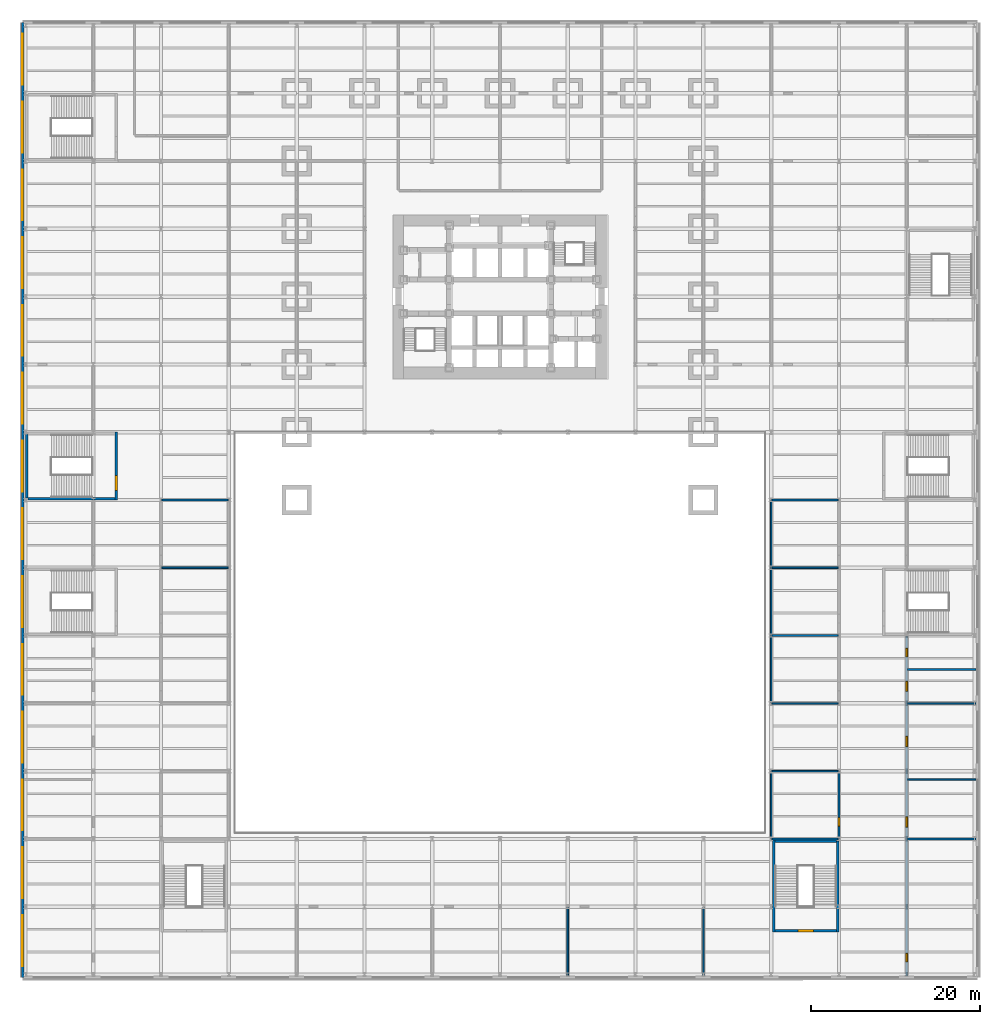
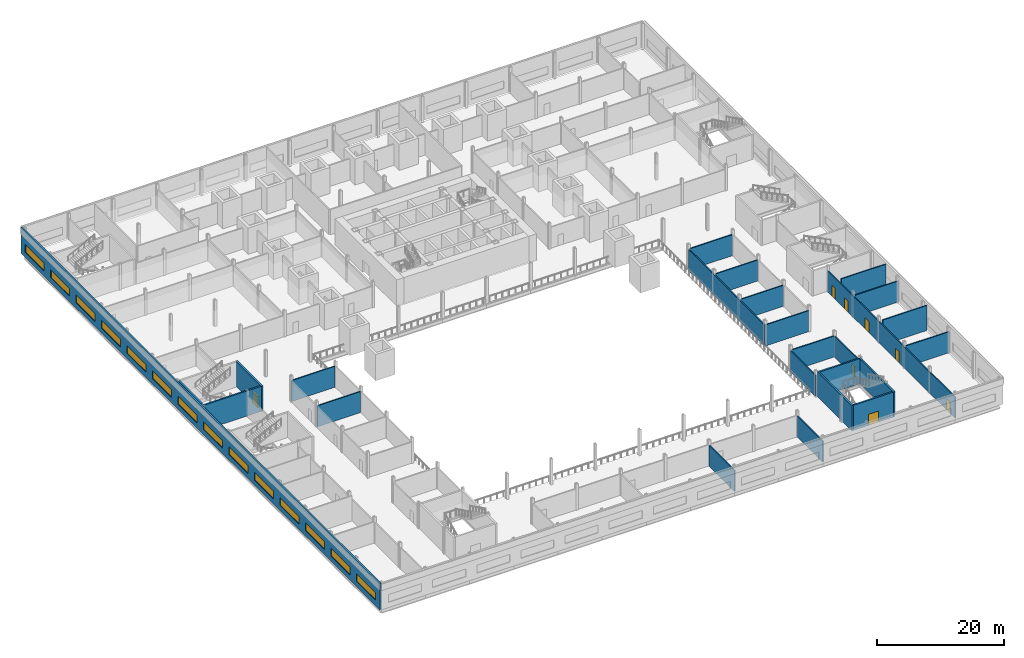
# One storey, part 9 of 18: 26 walls, 14 windows, 8 doors, 22 openings.
"""IFC4 building model written with IfcOpenShell, lengths in metres."""

from ifc_helpers import new_model, si_unit, direction, frame, frame_2d, origin, place, context, subcontext, project, spatial, rectangle, extrude, material, layer, layer_set, type_object, element, fill, save


model = new_model("IFC4")

# Units and contexts
model_context = context("Model", 3, precision=1e-05, world=origin(), true_north=direction((0.0, 1.0)))
body_context = subcontext(model_context, "Body", "Model", "MODEL_VIEW")
ifc_project = project(units=[si_unit("LENGTHUNIT", "METRE"), si_unit("AREAUNIT", "SQUARE_METRE"), si_unit("VOLUMEUNIT", "CUBIC_METRE"), si_unit("PLANEANGLEUNIT", "RADIAN"), si_unit("MASSUNIT", "GRAM", prefix="KILO")], contexts=[model_context])

# Site, building, storey
site_placement = place(None, origin())
site = spatial("IfcSite", under=ifc_project, at=site_placement, CompositionType="ELEMENT")
building_placement = place(site_placement, origin())
building = spatial("IfcBuilding", under=site, at=building_placement, Name="Daluyong Arena Tower", CompositionType="ELEMENT")
storey_placement = place(building_placement, frame((0.0, 0.0, 4.89990234375)))
storey = spatial("IfcBuildingStorey", under=building, at=storey_placement, Name="L01", CompositionType="ELEMENT", Elevation=4.89990234375)

# Walls
ifc_material_1 = material(Name="Concrete block partition", Category="concrete")
ifc_layer_1 = layer(ifc_material_1, 0.199951171875)
ifc_layer_set_1 = layer_set([ifc_layer_1], Name="Concrete block partition")
wall_type_1 = type_object("IfcWallType", Name="Partition 200", PredefinedType="PARTITIONING", material=ifc_layer_set_1)
wall_1_placement = place(storey_placement, frame((88.10009765625, 16.0, 0.0), z_axis=(0.0, 0.0, 1.0), x_axis=(1.0, 0.0, 0.0)))
element("IfcWall", 1, at=wall_1_placement, inside=storey, type_object=wall_type_1, Name="partition at L01", PredefinedType="PARTITIONING", context=body_context, shape_type="SweptSolid", body=[
    extrude(rectangle(XDim=7.7998046875, YDim=0.199951171875, at=frame_2d((3.89990234375, 0.0))), origin(), (0.0, 0.0, 1.0), 4.02783203125),
])
wall_2_placement = place(storey_placement, frame((104.10009765625, 16.0, 0.0), z_axis=(0.0, 0.0, 1.0), x_axis=(1.0, 0.0, 0.0)))
element("IfcWall", 2, at=wall_2_placement, inside=storey, type_object=wall_type_1, Name="partition at L01", PredefinedType="PARTITIONING", context=body_context, shape_type="SweptSolid", body=[
    extrude(rectangle(XDim=8.0498046875, YDim=0.199951171875, at=frame_2d((4.02490234375, 0.0))), origin(), (0.0, 0.0, 1.0), 4.02783203125),
])
wall_3_placement = place(storey_placement, frame((104.10009765625, 23.0, 0.0), z_axis=(0.0, 0.0, 1.0), x_axis=(1.0, 0.0, 0.0)))
element("IfcWall", 3, at=wall_3_placement, inside=storey, type_object=wall_type_1, Name="partition at L01", PredefinedType="PARTITIONING", context=body_context, shape_type="SweptSolid", body=[
    extrude(rectangle(XDim=8.0498046875, YDim=0.199951171875, at=frame_2d((4.02490234375, 0.0))), origin(), (0.0, 0.0, 1.0), 4.800048828125),
])
for number, where, z_axis, x_axis, name in (
    (4, (88.10009765625, 24.0, 0.0), (0.0, 0.0, 1.0), (1.0, 0.0, 0.0), "partition at L01"),
    (5, (88.10009765625, 32.0, 0.0), (0.0, 0.0, 1.0), (1.0, 0.0, 0.0), "partition at L01"),
):
    element("IfcWall", number, at=place(storey_placement, frame(where, z_axis=z_axis, x_axis=x_axis)), inside=storey, type_object=wall_type_1, Name=name, PredefinedType="PARTITIONING", context=body_context, shape_type="SweptSolid", body=[
        extrude(rectangle(XDim=7.7998046875, YDim=0.199951171875, at=frame_2d((3.89990234375, 0.0))), origin(), (0.0, 0.0, 1.0), 4.02783203125),
    ])
wall_4_placement = place(storey_placement, frame((104.10009765625, 32.0, 0.0), z_axis=(0.0, 0.0, 1.0), x_axis=(1.0, 0.0, 0.0)))
element("IfcWall", 6, at=wall_4_placement, inside=storey, type_object=wall_type_1, Name="partition at L01", PredefinedType="PARTITIONING", context=body_context, shape_type="SweptSolid", body=[
    extrude(rectangle(XDim=8.0498046875, YDim=0.199951171875, at=frame_2d((4.02490234375, 0.0))), origin(), (0.0, 0.0, 1.0), 4.02783203125),
])
wall_5_placement = place(storey_placement, frame((104.10009765625, 36.0, 0.0), z_axis=(0.0, 0.0, 1.0), x_axis=(1.0, 0.0, 0.0)))
element("IfcWall", 7, at=wall_5_placement, inside=storey, type_object=wall_type_1, Name="partition at L01", PredefinedType="PARTITIONING", context=body_context, shape_type="SweptSolid", body=[
    extrude(rectangle(XDim=8.0498046875, YDim=0.199951171875, at=frame_2d((4.02490234375, 0.0))), origin(), (0.0, 0.0, 1.0), 4.800048828125),
])
for number, where, z_axis, x_axis, name in (
    (8, (88.10009765625, 40.0, 0.0), (0.0, 0.0, 1.0), (1.0, 0.0, 0.0), "partition at L01"),
    (9, (16.10009765625, 48.0, 0.0), (0.0, 0.0, 1.0), (1.0, 0.0, 0.0), "partition at L01"),
    (10, (88.10009765625, 48.0, 0.0), (0.0, 0.0, 1.0), (1.0, 0.0, 0.0), "partition at L01"),
    (11, (16.10009765625, 56.0, 0.0), (0.0, 0.0, 1.0), (1.0, 0.0, 0.0), "partition at L01"),
    (12, (88.10009765625, 56.0, 0.0), (0.0, 0.0, 1.0), (1.0, 0.0, 0.0), "partition at L01"),
):
    element("IfcWall", number, at=place(storey_placement, frame(where, z_axis=z_axis, x_axis=x_axis)), inside=storey, type_object=wall_type_1, Name=name, PredefinedType="PARTITIONING", context=body_context, shape_type="SweptSolid", body=[
        extrude(rectangle(XDim=7.7998046875, YDim=0.199951171875, at=frame_2d((3.89990234375, 0.0))), origin(), (0.0, 0.0, 1.0), 4.02783203125),
    ])
for number, where, z_axis, x_axis, name in (
    (13, (64.0, -0.14990234375, 0.0), (0.0, 0.0, 1.0), (0.0, 1.0, 0.0), "partition at L01"),
    (14, (80.0, -0.14990234375, 0.0), (0.0, 0.0, 1.0), (0.0, 1.0, 0.0), "partition at L01"),
):
    element("IfcWall", number, at=place(storey_placement, frame(where, z_axis=z_axis, x_axis=x_axis)), inside=storey, type_object=wall_type_1, Name=name, PredefinedType="PARTITIONING", context=body_context, shape_type="SweptSolid", body=[
        extrude(rectangle(XDim=8.0498046875, YDim=0.199951171875, at=frame_2d((4.02490234375, 0.0))), origin(), (0.0, 0.0, 1.0), 4.02783203125),
    ])
wall_6_placement = place(storey_placement, frame((88.0, 16.10009765625, 0.0), z_axis=(0.0, 0.0, 1.0), x_axis=(0.0, 1.0, 0.0)))
element("IfcWall", 15, at=wall_6_placement, inside=storey, type_object=wall_type_1, Name="partition at L01", PredefinedType="PARTITIONING", context=body_context, shape_type="SweptSolid", body=[
    extrude(rectangle(XDim=7.7998046875, YDim=0.199951171875, at=frame_2d((3.89990234375, 0.0))), origin(), (0.0, 0.0, 1.0), 4.02783203125),
])
wall_7_placement = place(storey_placement, frame((88.0, 32.10009765625, 0.0), z_axis=(0.0, 0.0, 1.0), x_axis=(0.0, 1.0, 0.0)))
element("IfcWall", 16, at=wall_7_placement, inside=storey, type_object=wall_type_1, Name="partition at L01", PredefinedType="PARTITIONING", context=body_context, shape_type="SweptSolid", body=[
    extrude(rectangle(XDim=23.7998046875, YDim=0.199951171875, at=frame_2d((11.89990234375, 0.0))), origin(), (0.0, 0.0, 1.0), 4.02783203125),
])

# Wall, opening, door
wall_8_placement = place(storey_placement, frame((96.0, 16.10009765625, 0.0), z_axis=(0.0, 0.0, 1.0), x_axis=(0.0, 1.0, 0.0)))
wall_8 = element("IfcWall", 17, at=wall_8_placement, inside=storey, type_object=wall_type_1, Name="partition at L01", PredefinedType="PARTITIONING", context=body_context, shape_type="SweptSolid", body=[
    extrude(rectangle(XDim=7.7998046875, YDim=0.199951171875, at=frame_2d((3.89990234375, 0.0))), origin(), (0.0, 0.0, 1.0), 4.02783203125),
])
opening_1_placement = place(wall_8_placement, frame((1.39990234375, 0.0, 0.0)))
opening_1 = element("IfcOpeningElement", 18, at=opening_1_placement, cuts=wall_8, Name="Opening 01035", PredefinedType="OPENING", context=body_context, shape_type="SweptSolid", body=[
    extrude(rectangle(XDim=1.0, YDim=2.10009765625, at=frame_2d((0.5, 1.050048828125))), frame((0.0, 0.10986328125, 0.0), z_axis=(0.0, -1.0, 0.0), x_axis=(1.0, 0.0, 0.0)), (0.0, 0.0, 1.0), 0.219970703125),
])
ifc_material_2 = material(Name="Timber door", Category="wood")
door_type_1 = type_object("IfcDoorType", Name="Room door 1000", OperationType="SINGLE_SWING_LEFT", PredefinedType="DOOR", material=ifc_material_2)
door_1_placement = place(opening_1_placement, origin())
door_1 = element("IfcDoor", 19, at=door_1_placement, inside=storey, type_object=door_type_1, Name="food and beverage kiosk door 01035", OperationType="SINGLE_SWING_LEFT", OverallHeight=2.10009765625, OverallWidth=1.0, PredefinedType="DOOR", context=body_context, shape_type="SweptSolid", body=[
    extrude(rectangle(XDim=1.0, YDim=2.10009765625, at=frame_2d((0.5, 1.050048828125))), frame((0.0, 0.099609375, 0.0), z_axis=(0.0, -1.0, 0.0), x_axis=(1.0, 0.0, 0.0)), (0.0, 0.0, 1.0), 0.199462890625),
])
fill(opening_1, door_1)

# Wall, openings, doors
wall_9_placement = place(storey_placement, frame((104.0, -0.14990234375, 0.0), z_axis=(0.0, 0.0, 1.0), x_axis=(0.0, 1.0, 0.0)))
wall_9 = element("IfcWall", 20, at=wall_9_placement, inside=storey, type_object=wall_type_1, Name="partition at L01", PredefinedType="PARTITIONING", context=body_context, shape_type="SweptSolid", body=[
    extrude(rectangle(XDim=40.0498046875, YDim=0.199951171875, at=frame_2d((20.02490234375, 0.0))), origin(), (0.0, 0.0, 1.0), 4.02783203125),
])
opening_2_placement = place(wall_9_placement, frame((17.550048828125, 0.0, 0.0)))
opening_2 = element("IfcOpeningElement", 21, at=opening_2_placement, cuts=wall_9, Name="Opening 01026", PredefinedType="OPENING", context=body_context, shape_type="SweptSolid", body=[
    extrude(rectangle(XDim=1.199951171875, YDim=2.10009765625, at=frame_2d((0.60009765625, 1.050048828125))), frame((0.0, 0.10986328125, 0.0), z_axis=(0.0, -1.0, 0.0), x_axis=(1.0, 0.0, 0.0)), (0.0, 0.0, 1.0), 0.219970703125),
])
opening_3_placement = place(wall_9_placement, frame((27.050048828125, 0.0, 0.0)))
opening_3 = element("IfcOpeningElement", 22, at=opening_3_placement, cuts=wall_9, Name="Opening 01027", PredefinedType="OPENING", context=body_context, shape_type="SweptSolid", body=[
    extrude(rectangle(XDim=1.199951171875, YDim=2.10009765625, at=frame_2d((0.60009765625, 1.050048828125))), frame((0.0, 0.10986328125, 0.0), z_axis=(0.0, -1.0, 0.0), x_axis=(1.0, 0.0, 0.0)), (0.0, 0.0, 1.0), 0.219970703125),
])
opening_4_placement = place(wall_9_placement, frame((33.550048828125, 0.0, 0.0)))
opening_4 = element("IfcOpeningElement", 23, at=opening_4_placement, cuts=wall_9, Name="Opening 01028", PredefinedType="OPENING", context=body_context, shape_type="SweptSolid", body=[
    extrude(rectangle(XDim=1.199951171875, YDim=2.10009765625, at=frame_2d((0.60009765625, 1.050048828125))), frame((0.0, 0.10986328125, 0.0), z_axis=(0.0, -1.0, 0.0), x_axis=(1.0, 0.0, 0.0)), (0.0, 0.0, 1.0), 0.219970703125),
])
opening_5_placement = place(wall_9_placement, frame((1.64990234375, 0.0, 0.0)))
opening_5 = element("IfcOpeningElement", 24, at=opening_5_placement, cuts=wall_9, Name="Opening 01030", PredefinedType="OPENING", context=body_context, shape_type="SweptSolid", body=[
    extrude(rectangle(XDim=1.0, YDim=2.10009765625, at=frame_2d((0.5, 1.050048828125))), frame((0.0, 0.10986328125, 0.0), z_axis=(0.0, -1.0, 0.0), x_axis=(1.0, 0.0, 0.0)), (0.0, 0.0, 1.0), 0.219970703125),
])
opening_6_placement = place(wall_9_placement, frame((37.64990234375, 0.0, 0.0)))
opening_6 = element("IfcOpeningElement", 25, at=opening_6_placement, cuts=wall_9, Name="Opening 01041", PredefinedType="OPENING", context=body_context, shape_type="SweptSolid", body=[
    extrude(rectangle(XDim=1.0, YDim=2.10009765625, at=frame_2d((0.5, 1.050048828125))), frame((0.0, 0.10986328125, 0.0), z_axis=(0.0, -1.0, 0.0), x_axis=(1.0, 0.0, 0.0)), (0.0, 0.0, 1.0), 0.219970703125),
])
door_2_placement = place(opening_5_placement, origin())
door_2 = element("IfcDoor", 26, at=door_2_placement, inside=storey, type_object=door_type_1, Name="food and beverage kiosk door 01030", OperationType="SINGLE_SWING_LEFT", OverallHeight=2.10009765625, OverallWidth=1.0, PredefinedType="DOOR", context=body_context, shape_type="SweptSolid", body=[
    extrude(rectangle(XDim=1.0, YDim=2.10009765625, at=frame_2d((0.5, 1.050048828125))), frame((0.0, 0.099609375, 0.0), z_axis=(0.0, -1.0, 0.0), x_axis=(1.0, 0.0, 0.0)), (0.0, 0.0, 1.0), 0.199462890625),
])
fill(opening_5, door_2)
door_3_placement = place(opening_6_placement, origin())
door_3 = element("IfcDoor", 27, at=door_3_placement, inside=storey, type_object=door_type_1, Name="food and beverage kiosk door 01041", OperationType="SINGLE_SWING_LEFT", OverallHeight=2.10009765625, OverallWidth=1.0, PredefinedType="DOOR", context=body_context, shape_type="SweptSolid", body=[
    extrude(rectangle(XDim=1.0, YDim=2.10009765625, at=frame_2d((0.5, 1.050048828125))), frame((0.0, 0.099609375, 0.0), z_axis=(0.0, -1.0, 0.0), x_axis=(1.0, 0.0, 0.0)), (0.0, 0.0, 1.0), 0.199462890625),
])
fill(opening_6, door_3)
ifc_material_3 = material(Name="Timber door", Category="wood")
door_type_2 = type_object("IfcDoorType", Name="Toilet entry door 1200", OperationType="SINGLE_SWING_RIGHT", PredefinedType="DOOR", material=ifc_material_3)
door_4_placement = place(opening_2_placement, origin())
door_4 = element("IfcDoor", 28, at=door_4_placement, inside=storey, type_object=door_type_2, Name="male toilet door 01026", OperationType="SINGLE_SWING_RIGHT", OverallHeight=2.10009765625, OverallWidth=1.199951171875, PredefinedType="DOOR", context=body_context, shape_type="SweptSolid", body=[
    extrude(rectangle(XDim=1.199951171875, YDim=2.10009765625, at=frame_2d((0.60009765625, 1.050048828125))), frame((0.0, 0.099609375, 0.0), z_axis=(0.0, -1.0, 0.0), x_axis=(1.0, 0.0, 0.0)), (0.0, 0.0, 1.0), 0.199462890625),
])
fill(opening_2, door_4)
door_5_placement = place(opening_3_placement, origin())
door_5 = element("IfcDoor", 29, at=door_5_placement, inside=storey, type_object=door_type_2, Name="female toilet door 01027", OperationType="SINGLE_SWING_RIGHT", OverallHeight=2.10009765625, OverallWidth=1.199951171875, PredefinedType="DOOR", context=body_context, shape_type="SweptSolid", body=[
    extrude(rectangle(XDim=1.199951171875, YDim=2.10009765625, at=frame_2d((0.60009765625, 1.050048828125))), frame((0.0, 0.099609375, 0.0), z_axis=(0.0, -1.0, 0.0), x_axis=(1.0, 0.0, 0.0)), (0.0, 0.0, 1.0), 0.199462890625),
])
fill(opening_3, door_5)
door_6_placement = place(opening_4_placement, origin())
door_6 = element("IfcDoor", 30, at=door_6_placement, inside=storey, type_object=door_type_2, Name="accessible toilet door 01028", OperationType="SINGLE_SWING_RIGHT", OverallHeight=2.10009765625, OverallWidth=1.199951171875, PredefinedType="DOOR", context=body_context, shape_type="SweptSolid", body=[
    extrude(rectangle(XDim=1.199951171875, YDim=2.10009765625, at=frame_2d((0.60009765625, 1.050048828125))), frame((0.0, 0.099609375, 0.0), z_axis=(0.0, -1.0, 0.0), x_axis=(1.0, 0.0, 0.0)), (0.0, 0.0, 1.0), 0.199462890625),
])
fill(opening_4, door_6)

# Wall, openings, windows
ifc_material_4 = material(Name="Precast concrete fc' 45 MPa", Category="concrete")
ifc_layer_2 = layer(ifc_material_4, 0.300048828125)
ifc_layer_set_2 = layer_set([ifc_layer_2], Name="Precast concrete fc' 45 MPa")
wall_type_2 = type_object("IfcWallType", Name="Podium precast band wall 300", PredefinedType="SOLIDWALL", material=ifc_layer_set_2)
wall_10_placement = place(storey_placement, frame((-0.35009765625, 112.35009765625, 0.0), z_axis=(0.0, 0.0, 1.0), x_axis=(0.0, -1.0, 0.0)))
wall_10 = element("IfcWall", 31, at=wall_10_placement, inside=storey, type_object=wall_type_2, Name="podium wall W L01", PredefinedType="SOLIDWALL", context=body_context, shape_type="SweptSolid", body=[
    extrude(rectangle(XDim=112.7001953125, YDim=0.300048828125, at=frame_2d((56.35009765625, 0.0))), origin(), (0.0, 0.0, 1.0), 5.0),
])
opening_7_placement = place(wall_10_placement, frame((1.35009765625, 0.0, 1.0)))
opening_7 = element("IfcOpeningElement", 32, at=opening_7_placement, cuts=wall_10, Name="Opening W1", PredefinedType="OPENING", context=body_context, shape_type="SweptSolid", body=[
    extrude(rectangle(XDim=6.0, YDim=1.5, at=frame_2d((3.0, 0.75))), frame((0.0, 0.159912109375, 0.0), z_axis=(0.0, -1.0, 0.0), x_axis=(1.0, 0.0, 0.0)), (0.0, 0.0, 1.0), 0.320068359375),
])
opening_8_placement = place(wall_10_placement, frame((9.35009765625, 0.0, 1.0)))
opening_8 = element("IfcOpeningElement", 33, at=opening_8_placement, cuts=wall_10, Name="Opening W1", PredefinedType="OPENING", context=body_context, shape_type="SweptSolid", body=[
    extrude(rectangle(XDim=6.0, YDim=1.5, at=frame_2d((3.0, 0.75))), frame((0.0, 0.159912109375, 0.0), z_axis=(0.0, -1.0, 0.0), x_axis=(1.0, 0.0, 0.0)), (0.0, 0.0, 1.0), 0.320068359375),
])
opening_9_placement = place(wall_10_placement, frame((17.35009765625, 0.0, 1.0)))
opening_9 = element("IfcOpeningElement", 34, at=opening_9_placement, cuts=wall_10, Name="Opening W1", PredefinedType="OPENING", context=body_context, shape_type="SweptSolid", body=[
    extrude(rectangle(XDim=6.0, YDim=1.5, at=frame_2d((3.0, 0.75))), frame((0.0, 0.159912109375, 0.0), z_axis=(0.0, -1.0, 0.0), x_axis=(1.0, 0.0, 0.0)), (0.0, 0.0, 1.0), 0.320068359375),
])
opening_10_placement = place(wall_10_placement, frame((25.35009765625, 0.0, 1.0)))
opening_10 = element("IfcOpeningElement", 35, at=opening_10_placement, cuts=wall_10, Name="Opening W1", PredefinedType="OPENING", context=body_context, shape_type="SweptSolid", body=[
    extrude(rectangle(XDim=6.0, YDim=1.5, at=frame_2d((3.0, 0.75))), frame((0.0, 0.159912109375, 0.0), z_axis=(0.0, -1.0, 0.0), x_axis=(1.0, 0.0, 0.0)), (0.0, 0.0, 1.0), 0.320068359375),
])
opening_11_placement = place(wall_10_placement, frame((33.35009765625, 0.0, 1.0)))
opening_11 = element("IfcOpeningElement", 36, at=opening_11_placement, cuts=wall_10, Name="Opening W1", PredefinedType="OPENING", context=body_context, shape_type="SweptSolid", body=[
    extrude(rectangle(XDim=6.0, YDim=1.5, at=frame_2d((3.0, 0.75))), frame((0.0, 0.159912109375, 0.0), z_axis=(0.0, -1.0, 0.0), x_axis=(1.0, 0.0, 0.0)), (0.0, 0.0, 1.0), 0.320068359375),
])
opening_12_placement = place(wall_10_placement, frame((41.35009765625, 0.0, 1.0)))
opening_12 = element("IfcOpeningElement", 37, at=opening_12_placement, cuts=wall_10, Name="Opening W1", PredefinedType="OPENING", context=body_context, shape_type="SweptSolid", body=[
    extrude(rectangle(XDim=6.0, YDim=1.5, at=frame_2d((3.0, 0.75))), frame((0.0, 0.159912109375, 0.0), z_axis=(0.0, -1.0, 0.0), x_axis=(1.0, 0.0, 0.0)), (0.0, 0.0, 1.0), 0.320068359375),
])
opening_13_placement = place(wall_10_placement, frame((49.35009765625, 0.0, 1.0)))
opening_13 = element("IfcOpeningElement", 38, at=opening_13_placement, cuts=wall_10, Name="Opening W1", PredefinedType="OPENING", context=body_context, shape_type="SweptSolid", body=[
    extrude(rectangle(XDim=6.0, YDim=1.5, at=frame_2d((3.0, 0.75))), frame((0.0, 0.159912109375, 0.0), z_axis=(0.0, -1.0, 0.0), x_axis=(1.0, 0.0, 0.0)), (0.0, 0.0, 1.0), 0.320068359375),
])
opening_14_placement = place(wall_10_placement, frame((57.35009765625, 0.0, 1.0)))
opening_14 = element("IfcOpeningElement", 39, at=opening_14_placement, cuts=wall_10, Name="Opening W1", PredefinedType="OPENING", context=body_context, shape_type="SweptSolid", body=[
    extrude(rectangle(XDim=6.0, YDim=1.5, at=frame_2d((3.0, 0.75))), frame((0.0, 0.159912109375, 0.0), z_axis=(0.0, -1.0, 0.0), x_axis=(1.0, 0.0, 0.0)), (0.0, 0.0, 1.0), 0.320068359375),
])
opening_15_placement = place(wall_10_placement, frame((65.35009765625, 0.0, 1.0)))
opening_15 = element("IfcOpeningElement", 40, at=opening_15_placement, cuts=wall_10, Name="Opening W1", PredefinedType="OPENING", context=body_context, shape_type="SweptSolid", body=[
    extrude(rectangle(XDim=6.0, YDim=1.5, at=frame_2d((3.0, 0.75))), frame((0.0, 0.159912109375, 0.0), z_axis=(0.0, -1.0, 0.0), x_axis=(1.0, 0.0, 0.0)), (0.0, 0.0, 1.0), 0.320068359375),
])
opening_16_placement = place(wall_10_placement, frame((73.35009765625, 0.0, 1.0)))
opening_16 = element("IfcOpeningElement", 41, at=opening_16_placement, cuts=wall_10, Name="Opening W1", PredefinedType="OPENING", context=body_context, shape_type="SweptSolid", body=[
    extrude(rectangle(XDim=6.0, YDim=1.5, at=frame_2d((3.0, 0.75))), frame((0.0, 0.159912109375, 0.0), z_axis=(0.0, -1.0, 0.0), x_axis=(1.0, 0.0, 0.0)), (0.0, 0.0, 1.0), 0.320068359375),
])
opening_17_placement = place(wall_10_placement, frame((81.35009765625, 0.0, 1.0)))
opening_17 = element("IfcOpeningElement", 42, at=opening_17_placement, cuts=wall_10, Name="Opening W1", PredefinedType="OPENING", context=body_context, shape_type="SweptSolid", body=[
    extrude(rectangle(XDim=6.0, YDim=1.5, at=frame_2d((3.0, 0.75))), frame((0.0, 0.159912109375, 0.0), z_axis=(0.0, -1.0, 0.0), x_axis=(1.0, 0.0, 0.0)), (0.0, 0.0, 1.0), 0.320068359375),
])
opening_18_placement = place(wall_10_placement, frame((89.35009765625, 0.0, 1.0)))
opening_18 = element("IfcOpeningElement", 43, at=opening_18_placement, cuts=wall_10, Name="Opening W1", PredefinedType="OPENING", context=body_context, shape_type="SweptSolid", body=[
    extrude(rectangle(XDim=6.0, YDim=1.5, at=frame_2d((3.0, 0.75))), frame((0.0, 0.159912109375, 0.0), z_axis=(0.0, -1.0, 0.0), x_axis=(1.0, 0.0, 0.0)), (0.0, 0.0, 1.0), 0.320068359375),
])
opening_19_placement = place(wall_10_placement, frame((97.35009765625, 0.0, 1.0)))
opening_19 = element("IfcOpeningElement", 44, at=opening_19_placement, cuts=wall_10, Name="Opening W1", PredefinedType="OPENING", context=body_context, shape_type="SweptSolid", body=[
    extrude(rectangle(XDim=6.0, YDim=1.5, at=frame_2d((3.0, 0.75))), frame((0.0, 0.159912109375, 0.0), z_axis=(0.0, -1.0, 0.0), x_axis=(1.0, 0.0, 0.0)), (0.0, 0.0, 1.0), 0.320068359375),
])
opening_20_placement = place(wall_10_placement, frame((105.35009765625, 0.0, 1.0)))
opening_20 = element("IfcOpeningElement", 45, at=opening_20_placement, cuts=wall_10, Name="Opening W1", PredefinedType="OPENING", context=body_context, shape_type="SweptSolid", body=[
    extrude(rectangle(XDim=6.0, YDim=1.5, at=frame_2d((3.0, 0.75))), frame((0.0, 0.159912109375, 0.0), z_axis=(0.0, -1.0, 0.0), x_axis=(1.0, 0.0, 0.0)), (0.0, 0.0, 1.0), 0.320068359375),
])
ifc_material_5 = material(Name="Bronze aluminium window, tinted glass", Category="aluminium")
window_type = type_object("IfcWindowType", Name="Ribbon window 6000x1500", PartitioningType="TRIPLE_PANEL_HORIZONTAL", PredefinedType="WINDOW", material=ifc_material_5)
window_1_placement = place(opening_7_placement, origin())
window_1 = element("IfcWindow", 46, at=window_1_placement, inside=storey, type_object=window_type, Name="ribbon window W", OverallHeight=1.5, OverallWidth=6.0, PartitioningType="SINGLE_PANEL", PredefinedType="WINDOW", context=body_context, shape_type="SweptSolid", body=[
    extrude(rectangle(XDim=6.0, YDim=1.5, at=frame_2d((3.0, 0.75))), frame((0.0, 0.030029296875, 0.0), z_axis=(0.0, -1.0, 0.0), x_axis=(1.0, 0.0, 0.0)), (0.0, 0.0, 1.0), 0.06005859375),
])
fill(opening_7, window_1)
window_2_placement = place(opening_8_placement, origin())
window_2 = element("IfcWindow", 47, at=window_2_placement, inside=storey, type_object=window_type, Name="ribbon window W", OverallHeight=1.5, OverallWidth=6.0, PartitioningType="SINGLE_PANEL", PredefinedType="WINDOW", context=body_context, shape_type="SweptSolid", body=[
    extrude(rectangle(XDim=6.0, YDim=1.5, at=frame_2d((3.0, 0.75))), frame((0.0, 0.030029296875, 0.0), z_axis=(0.0, -1.0, 0.0), x_axis=(1.0, 0.0, 0.0)), (0.0, 0.0, 1.0), 0.06005859375),
])
fill(opening_8, window_2)
window_3_placement = place(opening_9_placement, origin())
window_3 = element("IfcWindow", 48, at=window_3_placement, inside=storey, type_object=window_type, Name="ribbon window W", OverallHeight=1.5, OverallWidth=6.0, PartitioningType="SINGLE_PANEL", PredefinedType="WINDOW", context=body_context, shape_type="SweptSolid", body=[
    extrude(rectangle(XDim=6.0, YDim=1.5, at=frame_2d((3.0, 0.75))), frame((0.0, 0.030029296875, 0.0), z_axis=(0.0, -1.0, 0.0), x_axis=(1.0, 0.0, 0.0)), (0.0, 0.0, 1.0), 0.06005859375),
])
fill(opening_9, window_3)
window_4_placement = place(opening_10_placement, origin())
window_4 = element("IfcWindow", 49, at=window_4_placement, inside=storey, type_object=window_type, Name="ribbon window W", OverallHeight=1.5, OverallWidth=6.0, PartitioningType="SINGLE_PANEL", PredefinedType="WINDOW", context=body_context, shape_type="SweptSolid", body=[
    extrude(rectangle(XDim=6.0, YDim=1.5, at=frame_2d((3.0, 0.75))), frame((0.0, 0.030029296875, 0.0), z_axis=(0.0, -1.0, 0.0), x_axis=(1.0, 0.0, 0.0)), (0.0, 0.0, 1.0), 0.06005859375),
])
fill(opening_10, window_4)
window_5_placement = place(opening_11_placement, origin())
window_5 = element("IfcWindow", 50, at=window_5_placement, inside=storey, type_object=window_type, Name="ribbon window W", OverallHeight=1.5, OverallWidth=6.0, PartitioningType="SINGLE_PANEL", PredefinedType="WINDOW", context=body_context, shape_type="SweptSolid", body=[
    extrude(rectangle(XDim=6.0, YDim=1.5, at=frame_2d((3.0, 0.75))), frame((0.0, 0.030029296875, 0.0), z_axis=(0.0, -1.0, 0.0), x_axis=(1.0, 0.0, 0.0)), (0.0, 0.0, 1.0), 0.06005859375),
])
fill(opening_11, window_5)
window_6_placement = place(opening_12_placement, origin())
window_6 = element("IfcWindow", 51, at=window_6_placement, inside=storey, type_object=window_type, Name="ribbon window W", OverallHeight=1.5, OverallWidth=6.0, PartitioningType="SINGLE_PANEL", PredefinedType="WINDOW", context=body_context, shape_type="SweptSolid", body=[
    extrude(rectangle(XDim=6.0, YDim=1.5, at=frame_2d((3.0, 0.75))), frame((0.0, 0.030029296875, 0.0), z_axis=(0.0, -1.0, 0.0), x_axis=(1.0, 0.0, 0.0)), (0.0, 0.0, 1.0), 0.06005859375),
])
fill(opening_12, window_6)
window_7_placement = place(opening_13_placement, origin())
window_7 = element("IfcWindow", 52, at=window_7_placement, inside=storey, type_object=window_type, Name="ribbon window W", OverallHeight=1.5, OverallWidth=6.0, PartitioningType="SINGLE_PANEL", PredefinedType="WINDOW", context=body_context, shape_type="SweptSolid", body=[
    extrude(rectangle(XDim=6.0, YDim=1.5, at=frame_2d((3.0, 0.75))), frame((0.0, 0.030029296875, 0.0), z_axis=(0.0, -1.0, 0.0), x_axis=(1.0, 0.0, 0.0)), (0.0, 0.0, 1.0), 0.06005859375),
])
fill(opening_13, window_7)
window_8_placement = place(opening_14_placement, origin())
window_8 = element("IfcWindow", 53, at=window_8_placement, inside=storey, type_object=window_type, Name="ribbon window W", OverallHeight=1.5, OverallWidth=6.0, PartitioningType="SINGLE_PANEL", PredefinedType="WINDOW", context=body_context, shape_type="SweptSolid", body=[
    extrude(rectangle(XDim=6.0, YDim=1.5, at=frame_2d((3.0, 0.75))), frame((0.0, 0.030029296875, 0.0), z_axis=(0.0, -1.0, 0.0), x_axis=(1.0, 0.0, 0.0)), (0.0, 0.0, 1.0), 0.06005859375),
])
fill(opening_14, window_8)
window_9_placement = place(opening_15_placement, origin())
window_9 = element("IfcWindow", 54, at=window_9_placement, inside=storey, type_object=window_type, Name="ribbon window W", OverallHeight=1.5, OverallWidth=6.0, PartitioningType="SINGLE_PANEL", PredefinedType="WINDOW", context=body_context, shape_type="SweptSolid", body=[
    extrude(rectangle(XDim=6.0, YDim=1.5, at=frame_2d((3.0, 0.75))), frame((0.0, 0.030029296875, 0.0), z_axis=(0.0, -1.0, 0.0), x_axis=(1.0, 0.0, 0.0)), (0.0, 0.0, 1.0), 0.06005859375),
])
fill(opening_15, window_9)
window_10_placement = place(opening_16_placement, origin())
window_10 = element("IfcWindow", 55, at=window_10_placement, inside=storey, type_object=window_type, Name="ribbon window W", OverallHeight=1.5, OverallWidth=6.0, PartitioningType="SINGLE_PANEL", PredefinedType="WINDOW", context=body_context, shape_type="SweptSolid", body=[
    extrude(rectangle(XDim=6.0, YDim=1.5, at=frame_2d((3.0, 0.75))), frame((0.0, 0.030029296875, 0.0), z_axis=(0.0, -1.0, 0.0), x_axis=(1.0, 0.0, 0.0)), (0.0, 0.0, 1.0), 0.06005859375),
])
fill(opening_16, window_10)
window_11_placement = place(opening_17_placement, origin())
window_11 = element("IfcWindow", 56, at=window_11_placement, inside=storey, type_object=window_type, Name="ribbon window W", OverallHeight=1.5, OverallWidth=6.0, PartitioningType="SINGLE_PANEL", PredefinedType="WINDOW", context=body_context, shape_type="SweptSolid", body=[
    extrude(rectangle(XDim=6.0, YDim=1.5, at=frame_2d((3.0, 0.75))), frame((0.0, 0.030029296875, 0.0), z_axis=(0.0, -1.0, 0.0), x_axis=(1.0, 0.0, 0.0)), (0.0, 0.0, 1.0), 0.06005859375),
])
fill(opening_17, window_11)
window_12_placement = place(opening_18_placement, origin())
window_12 = element("IfcWindow", 57, at=window_12_placement, inside=storey, type_object=window_type, Name="ribbon window W", OverallHeight=1.5, OverallWidth=6.0, PartitioningType="SINGLE_PANEL", PredefinedType="WINDOW", context=body_context, shape_type="SweptSolid", body=[
    extrude(rectangle(XDim=6.0, YDim=1.5, at=frame_2d((3.0, 0.75))), frame((0.0, 0.030029296875, 0.0), z_axis=(0.0, -1.0, 0.0), x_axis=(1.0, 0.0, 0.0)), (0.0, 0.0, 1.0), 0.06005859375),
])
fill(opening_18, window_12)
window_13_placement = place(opening_19_placement, origin())
window_13 = element("IfcWindow", 58, at=window_13_placement, inside=storey, type_object=window_type, Name="ribbon window W", OverallHeight=1.5, OverallWidth=6.0, PartitioningType="SINGLE_PANEL", PredefinedType="WINDOW", context=body_context, shape_type="SweptSolid", body=[
    extrude(rectangle(XDim=6.0, YDim=1.5, at=frame_2d((3.0, 0.75))), frame((0.0, 0.030029296875, 0.0), z_axis=(0.0, -1.0, 0.0), x_axis=(1.0, 0.0, 0.0)), (0.0, 0.0, 1.0), 0.06005859375),
])
fill(opening_19, window_13)
window_14_placement = place(opening_20_placement, origin())
window_14 = element("IfcWindow", 59, at=window_14_placement, inside=storey, type_object=window_type, Name="ribbon window W", OverallHeight=1.5, OverallWidth=6.0, PartitioningType="SINGLE_PANEL", PredefinedType="WINDOW", context=body_context, shape_type="SweptSolid", body=[
    extrude(rectangle(XDim=6.0, YDim=1.5, at=frame_2d((3.0, 0.75))), frame((0.0, 0.030029296875, 0.0), z_axis=(0.0, -1.0, 0.0), x_axis=(1.0, 0.0, 0.0)), (0.0, 0.0, 1.0), 0.06005859375),
])
fill(opening_20, window_14)

# Walls
ifc_material_6 = material(Name="Concrete fc' 35 MPa", Category="concrete")
ifc_layer_3 = layer(ifc_material_6, 0.300048828125)
ifc_layer_set_3 = layer_set([ifc_layer_3], Name="Concrete fc' 35 MPa")
wall_type_3 = type_object("IfcWallType", Name="Stair enclosure wall 300", PredefinedType="SOLIDWALL", material=ifc_layer_set_3)
wall_11_placement = place(storey_placement, frame((88.300048828125, 5.0, 0.0), z_axis=(0.0, 0.0, 1.0), x_axis=(0.0, 1.0, 0.0)))
element("IfcWall", 60, at=wall_11_placement, inside=storey, type_object=wall_type_3, Name="exit stair PS2 enclosure", PredefinedType="SOLIDWALL", context=body_context, shape_type="SweptSolid", body=[
    extrude(rectangle(XDim=10.85009765625, YDim=0.300048828125, at=frame_2d((5.425048828125, 0.0))), origin(), (0.0, 0.0, 1.0), 4.800048828125),
])
wall_12_placement = place(storey_placement, frame((95.85009765625, 5.0, 0.0), z_axis=(0.0, 0.0, 1.0), x_axis=(0.0, 1.0, 0.0)))
element("IfcWall", 61, at=wall_12_placement, inside=storey, type_object=wall_type_3, Name="exit stair PS2 enclosure", PredefinedType="SOLIDWALL", context=body_context, shape_type="SweptSolid", body=[
    extrude(rectangle(XDim=10.772705078125, YDim=0.300048828125, at=frame_2d((5.38623046875, 0.0))), origin(), (0.0, 0.0, 1.0), 4.800048828125),
])

# Wall, opening, door
wall_13_placement = place(storey_placement, frame((88.449951171875, 5.14990234375, 0.0), z_axis=(0.0, 0.0, 1.0), x_axis=(1.0, 0.0, 0.0)))
wall_13 = element("IfcWall", 62, at=wall_13_placement, inside=storey, type_object=wall_type_3, Name="exit stair PS2 enclosure", PredefinedType="SOLIDWALL", context=body_context, shape_type="SweptSolid", body=[
    extrude(rectangle(XDim=7.25, YDim=0.300048828125, at=frame_2d((3.625, 0.0))), origin(), (0.0, 0.0, 1.0), 4.800048828125),
])
opening_21_placement = place(wall_13_placement, frame((2.72509765625, 0.0, 0.0)))
opening_21 = element("IfcOpeningElement", 63, at=opening_21_placement, cuts=wall_13, Name="Opening 01016", PredefinedType="OPENING", context=body_context, shape_type="SweptSolid", body=[
    extrude(rectangle(XDim=1.800048828125, YDim=2.10009765625, at=frame_2d((0.89990234375, 1.050048828125))), frame((0.0, 0.159912109375, 0.0), z_axis=(0.0, -1.0, 0.0), x_axis=(1.0, 0.0, 0.0)), (0.0, 0.0, 1.0), 0.320068359375),
])
ifc_material_7 = material(Name="Steel door, fire rated", Category="steel")
door_type_3 = type_object("IfcDoorType", Name="Exit stair double door 1800", OperationType="DOUBLE_DOOR_SINGLE_SWING", PredefinedType="DOOR", material=ifc_material_7)
door_7_placement = place(opening_21_placement, origin())
door_7 = element("IfcDoor", 64, at=door_7_placement, inside=storey, type_object=door_type_3, Name="exit stair PS2 door 01016", OperationType="DOUBLE_DOOR_SINGLE_SWING", OverallHeight=2.10009765625, OverallWidth=1.800048828125, PredefinedType="DOOR", context=body_context, shape_type="SweptSolid", body=[
    extrude(rectangle(XDim=1.800048828125, YDim=2.10009765625, at=frame_2d((0.89990234375, 1.050048828125))), frame((0.0, 0.14990234375, 0.0), z_axis=(0.0, -1.0, 0.0), x_axis=(1.0, 0.0, 0.0)), (0.0, 0.0, 1.0), 0.299560546875),
])
fill(opening_21, door_7)

# Walls
wall_14_placement = place(storey_placement, frame((88.449951171875, 15.699951171875, 0.0), z_axis=(0.0, 0.0, 1.0), x_axis=(1.0, 0.0, 0.0)))
element("IfcWall", 65, at=wall_14_placement, inside=storey, type_object=wall_type_3, Name="exit stair PS2 enclosure", PredefinedType="SOLIDWALL", context=body_context, shape_type="SweptSolid", body=[
    extrude(rectangle(XDim=7.25, YDim=0.300048828125, at=frame_2d((3.625, 0.0))), origin(), (0.0, 0.0, 1.0), 4.800048828125),
])
wall_15_placement = place(storey_placement, frame((0.14990234375, 56.227294921875, 0.0), z_axis=(0.0, 0.0, 1.0), x_axis=(0.0, 1.0, 0.0)))
element("IfcWall", 66, at=wall_15_placement, inside=storey, type_object=wall_type_3, Name="exit stair PS7 enclosure", PredefinedType="SOLIDWALL", context=body_context, shape_type="SweptSolid", body=[
    extrude(rectangle(XDim=7.54541015625, YDim=0.300048828125, at=frame_2d((3.772705078125, 0.0))), origin(), (0.0, 0.0, 1.0), 4.800048828125),
])

# Wall, opening, door
wall_16_placement = place(storey_placement, frame((10.699951171875, 56.0, 0.0), z_axis=(0.0, 0.0, 1.0), x_axis=(0.0, 1.0, 0.0)))
wall_16 = element("IfcWall", 67, at=wall_16_placement, inside=storey, type_object=wall_type_3, Name="exit stair PS7 enclosure", PredefinedType="SOLIDWALL", context=body_context, shape_type="SweptSolid", body=[
    extrude(rectangle(XDim=8.0, YDim=0.300048828125, at=frame_2d((4.0, 0.0))), origin(), (0.0, 0.0, 1.0), 4.800048828125),
])
opening_22_placement = place(wall_16_placement, frame((1.10009765625, 0.0, 0.0)))
opening_22 = element("IfcOpeningElement", 68, at=opening_22_placement, cuts=wall_16, Name="Opening 01021", PredefinedType="OPENING", context=body_context, shape_type="SweptSolid", body=[
    extrude(rectangle(XDim=1.800048828125, YDim=2.10009765625, at=frame_2d((0.89990234375, 1.050048828125))), frame((0.0, 0.159912109375, 0.0), z_axis=(0.0, -1.0, 0.0), x_axis=(1.0, 0.0, 0.0)), (0.0, 0.0, 1.0), 0.320068359375),
])
door_8_placement = place(opening_22_placement, origin())
door_8 = element("IfcDoor", 69, at=door_8_placement, inside=storey, type_object=door_type_3, Name="exit stair PS7 door 01021", OperationType="DOUBLE_DOOR_SINGLE_SWING", OverallHeight=2.10009765625, OverallWidth=1.800048828125, PredefinedType="DOOR", context=body_context, shape_type="SweptSolid", body=[
    extrude(rectangle(XDim=1.800048828125, YDim=2.10009765625, at=frame_2d((0.89990234375, 1.050048828125))), frame((0.0, 0.14990234375, 0.0), z_axis=(0.0, -1.0, 0.0), x_axis=(1.0, 0.0, 0.0)), (0.0, 0.0, 1.0), 0.299560546875),
])
fill(opening_22, door_8)

# Wall
wall_17_placement = place(storey_placement, frame((0.300048828125, 56.14990234375, 0.0), z_axis=(0.0, 0.0, 1.0), x_axis=(1.0, 0.0, 0.0)))
element("IfcWall", 70, at=wall_17_placement, inside=storey, type_object=wall_type_3, Name="exit stair PS7 enclosure", PredefinedType="SOLIDWALL", context=body_context, shape_type="SweptSolid", body=[
    extrude(rectangle(XDim=10.25, YDim=0.300048828125, at=frame_2d((5.125, 0.0))), origin(), (0.0, 0.0, 1.0), 4.800048828125),
])

save(model, "model.ifc")
